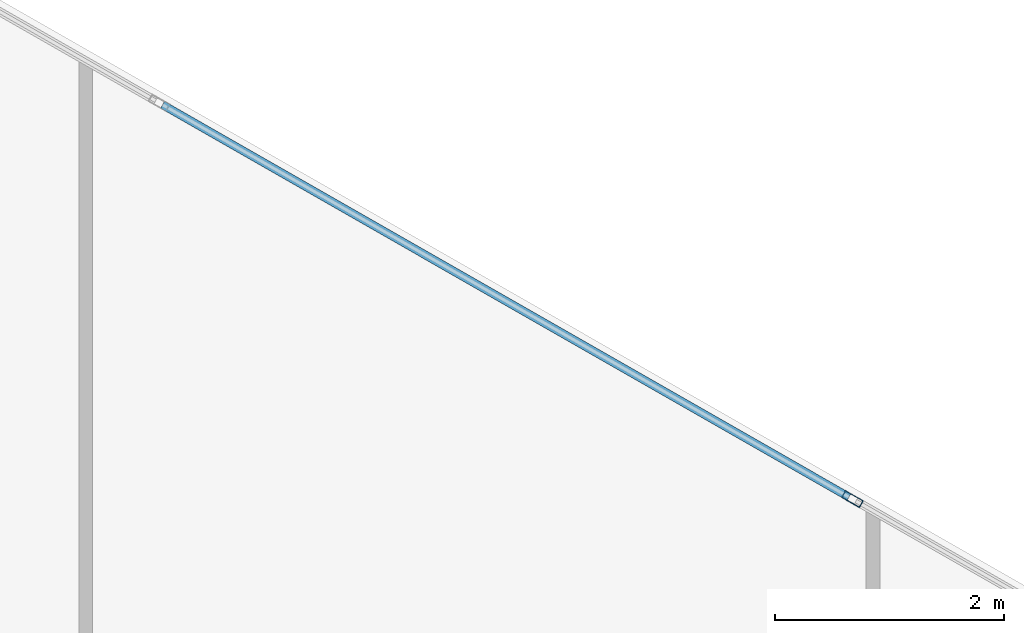
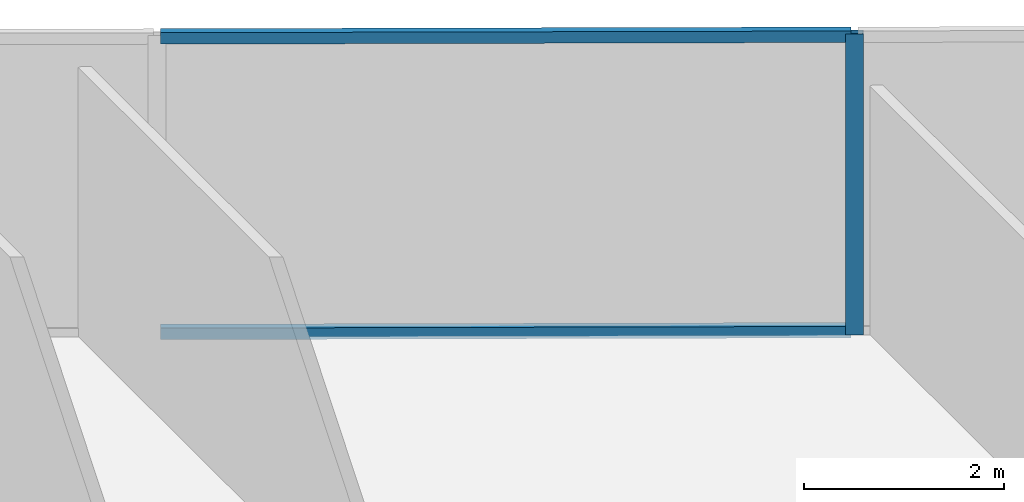
# One storey, part 18 of 24: 3 members, 1 element without a shape of its own.
"""IFC4 building model written with IfcOpenShell, lengths in metres."""

from ifc_helpers import new_model, si_unit, direction, frame, origin, origin_2d, place, context, subcontext, project, spatial, hollow_rectangle, extrude, source, transform, mapped, material, material_profile, profile_set, type_object, type_shapes, element, aggregate, save


model = new_model("IFC4")

# Units and contexts
model_context = context("Model", 3, precision=1e-05, world=origin(), true_north=direction((0.0, 1.0)))
body_context = subcontext(model_context, "Body", "Model", "MODEL_VIEW")
ifc_project = project(units=[si_unit("LENGTHUNIT", "METRE"), si_unit("AREAUNIT", "SQUARE_METRE"), si_unit("VOLUMEUNIT", "CUBIC_METRE"), si_unit("PLANEANGLEUNIT", "RADIAN"), si_unit("MASSUNIT", "GRAM", prefix="KILO")], contexts=[model_context])

# Site, building, storey
site_placement = place(None, origin())
site = spatial("IfcSite", under=ifc_project, at=site_placement, CompositionType="ELEMENT")
building_placement = place(site_placement, origin())
building = spatial("IfcBuilding", under=site, at=building_placement, Name="Krantzveldt Concourse Tower", CompositionType="ELEMENT")
storey_placement = place(building_placement, frame((0.0, 0.0, 162.0)))
storey = spatial("IfcBuildingStorey", under=building, at=storey_placement, Name="L39", CompositionType="ELEMENT", Elevation=162.0)

# Curtain wall, members
ifc_material = material(Name="Anodised aluminium 6063-T6", Category="aluminium")
curtain_wall_type = type_object("IfcCurtainWallType", Name="CW3", PredefinedType="USERDEFINED", material=ifc_material)
curtain_wall_placement = place(storey_placement, origin())
curtain_wall = element("IfcCurtainWall", 1, at=curtain_wall_placement, inside=storey, type_object=curtain_wall_type, Name="CW-L39-F14", ObjectType="UNITISED CURTAIN WALL", PredefinedType="USERDEFINED")
ifc_material_profile_1 = material_profile(ifc_material, hollow_rectangle(XDim=0.070068359375, YDim=0.179931640625, WallThickness=0.0048828125, at=origin_2d()), Name="Anodised aluminium 6063-T6", Category="aluminium")
ifc_profile_set_1 = profile_set([ifc_material_profile_1], Name="Anodised aluminium 6063-T6 - ALU-MULL 180x70x5")
member_type_1 = type_object("IfcMemberType", Name="CW-MUL-180", PredefinedType="MULLION", material=ifc_profile_set_1)
shared_shape_1 = source(origin(), body_context, "Body", "SweptSolid", [
    extrude(hollow_rectangle(XDim=0.070068359375, YDim=0.179931640625, WallThickness=0.0048828125, at=origin_2d()), origin(), (0.0, 0.0, 1.0), 3.669921875),
])
type_shapes(member_type_1, [shared_shape_1])
member_1_placement = place(storey_placement, frame((43.80126953125, 47.3623046875, 0.0), z_axis=(0.0, 0.0, 1.0), x_axis=(-0.496216394392, -0.868198876949, 0.0)))
member_1 = element("IfcMember", 2, at=member_1_placement, type_object=member_type_1, Name="CW-Z34 mullion 4", PredefinedType="MULLION", context=body_context, shape_type="MappedRepresentation", body=[
    mapped(shared_shape_1, transform((0.0, 0.0, 0.0), x_axis=(1.0, 0.0, 0.0), y_axis=(0.0, 1.0, 0.0), z_axis=(0.0, 0.0, 1.0), scale=1.0)),
])
ifc_material_profile_2 = material_profile(ifc_material, hollow_rectangle(XDim=0.070068359375, YDim=0.139892578125, WallThickness=0.0048828125, at=origin_2d()), Name="Anodised aluminium 6063-T6", Category="aluminium")
ifc_profile_set_2 = profile_set([ifc_material_profile_2], Name="Anodised aluminium 6063-T6 - ALU-TRAN 140x70x5")
member_type_2 = type_object("IfcMemberType", Name="CW-TRN-150", PredefinedType="USERDEFINED", material=ifc_profile_set_2)
shared_shape_2 = source(origin(), body_context, "Body", "SweptSolid", [
    extrude(hollow_rectangle(XDim=0.070068359375, YDim=0.139892578125, WallThickness=0.0048828125, at=origin_2d()), origin(), (0.0, 0.0, 1.0), 6.89013671875),
])
type_shapes(member_type_2, [shared_shape_2])
member_2_placement = place(storey_placement, frame((43.770751953125, 47.379638671875, 0.034912109375), z_axis=(-0.868199527911, 0.496215255443, 0.0), x_axis=(-0.496215255443, -0.868199527911, 0.0)))
member_2 = element("IfcMember", 3, at=member_2_placement, type_object=member_type_2, Name="CW-Z34 transom 4.1", ObjectType="TRANSOM", PredefinedType="USERDEFINED", context=body_context, shape_type="MappedRepresentation", body=[
    mapped(shared_shape_2, transform((0.0, 0.0, 0.0), x_axis=(1.0, 0.0, 0.0), y_axis=(0.0, 1.0, 0.0), z_axis=(0.0, 0.0, 1.0), scale=1.0)),
])
member_3_placement = place(storey_placement, frame((43.770751953125, 47.379638671875, 3.635009765625), z_axis=(-0.868199527911, 0.496215255443, 0.0), x_axis=(-0.496215255443, -0.868199527911, 0.0)))
member_3 = element("IfcMember", 4, at=member_3_placement, type_object=member_type_2, Name="CW-Z34 transom 4.2", ObjectType="TRANSOM", PredefinedType="USERDEFINED", context=body_context, shape_type="MappedRepresentation", body=[
    mapped(shared_shape_2, transform((0.0, 0.0, 0.0), x_axis=(1.0, 0.0, 0.0), y_axis=(0.0, 1.0, 0.0), z_axis=(0.0, 0.0, 1.0), scale=1.0)),
])
aggregate(curtain_wall, [member_1, member_2, member_3])

save(model, "model.ifc")
